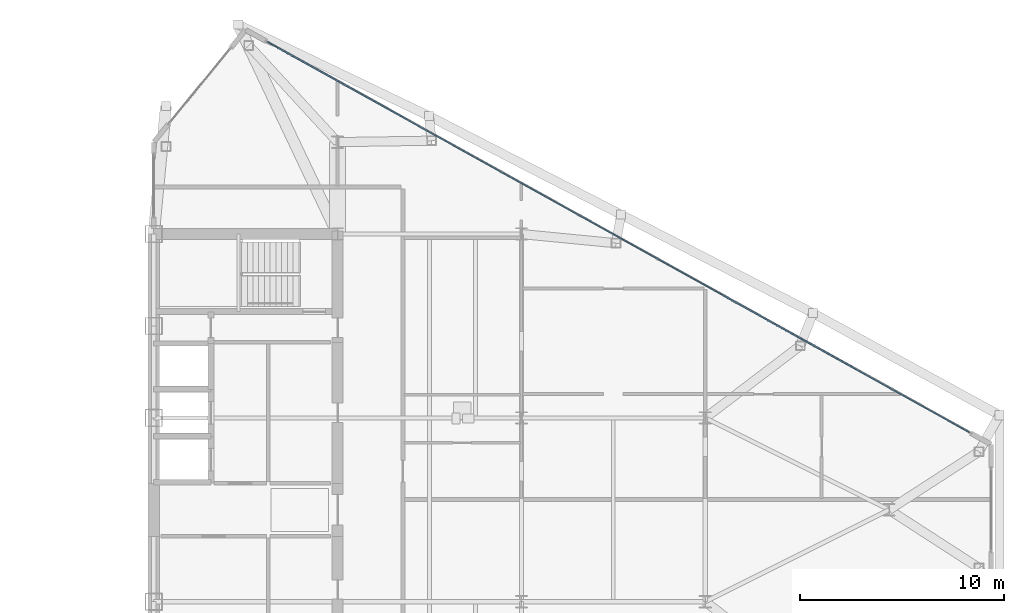
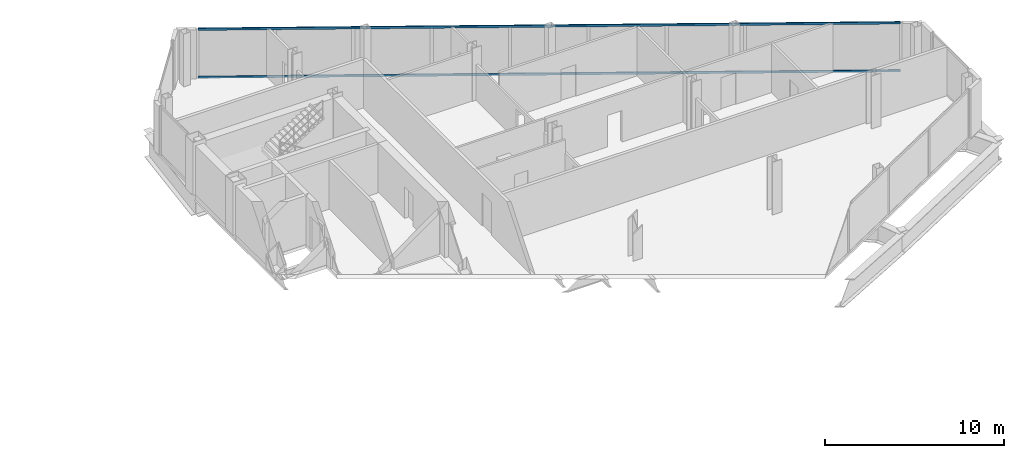
# One storey, part 16 of 28: 2 members, 1 element without a shape of its own.
"""IFC4 building model written with IfcOpenShell, lengths in metres."""

from ifc_helpers import new_model, si_unit, direction, frame, origin, origin_2d, place, context, subcontext, project, spatial, rectangle, extrude, source, transform, mapped, material, layer, layer_set, material_profile, profile_set, type_object, type_shapes, element, aggregate, save


model = new_model("IFC4")

# Units and contexts
model_context = context("Model", 3, precision=1e-05, world=origin(), true_north=direction((0.0, 1.0)))
body_context = subcontext(model_context, "Body", "Model", "MODEL_VIEW")
ifc_project = project(units=[si_unit("LENGTHUNIT", "METRE"), si_unit("AREAUNIT", "SQUARE_METRE"), si_unit("VOLUMEUNIT", "CUBIC_METRE"), si_unit("PLANEANGLEUNIT", "RADIAN"), si_unit("MASSUNIT", "GRAM", prefix="KILO")], contexts=[model_context])

# Site, building, storey
site_placement = place(None, origin())
site = spatial("IfcSite", under=ifc_project, at=site_placement, CompositionType="ELEMENT")
building_placement = place(site_placement, origin())
building = spatial("IfcBuilding", under=site, at=building_placement, Name="Seokmaru Belvedere", CompositionType="ELEMENT")
storey_placement = place(building_placement, frame((0.0, 0.0, 158.39990234375)))
storey = spatial("IfcBuildingStorey", under=building, at=storey_placement, Name="L42", CompositionType="ELEMENT", Elevation=158.39990234375)

# Curtain wall, members
ifc_material_1 = material(Name="Bronze Triple Insulating Glass", Category="glass")
ifc_layer = layer(ifc_material_1, 0.179931640625)
ifc_layer_set = layer_set([ifc_layer], Name="Bronze Triple Insulating Glass")
curtain_wall_type = type_object("IfcCurtainWallType", Name="High-Rise Wind-Corner Curtain Wall System CW-5", PredefinedType="NOTDEFINED", material=ifc_layer_set)
curtain_wall_placement = place(storey_placement, origin())
curtain_wall = element("IfcCurtainWall", 1, at=curtain_wall_placement, inside=storey, type_object=curtain_wall_type, Name="L42 Curtain Wall EF3", PredefinedType="NOTDEFINED")
ifc_material_2 = material(Name="Anodised Bronze Aluminium", Category="aluminium")
ifc_material_profile = material_profile(ifc_material_2, rectangle(XDim=0.06494140625, YDim=0.14990234375, at=origin_2d()), Name="CW-T-65x150")
ifc_profile_set = profile_set([ifc_material_profile], Name="Anodised Bronze Aluminium")
member_type = type_object("IfcMemberType", Name="Bronze Unitised Transom 65x150", PredefinedType="USERDEFINED", material=ifc_profile_set)
shared_shape = source(origin(), body_context, "Body", "SweptSolid", [
    extrude(rectangle(XDim=0.06494140625, YDim=0.14990234375, at=origin_2d()), origin(), (0.0, 0.0, 1.0), 39.33544921875),
])
type_shapes(member_type, [shared_shape])
member_1_placement = place(storey_placement, frame((67.438232421875, 3.79052734375, 0.03271484375), z_axis=(-0.873932045133, 0.486048125693, 0.0), x_axis=(-0.486048125693, -0.873932045133, 0.0)))
member_1 = element("IfcMember", 2, at=member_1_placement, type_object=member_type, Name="CW:L42:EF3 Continuous Transom 1", ObjectType="TRANSOM", PredefinedType="USERDEFINED", context=body_context, shape_type="MappedRepresentation", body=[
    mapped(shared_shape, transform((0.0, 0.0, 0.0), scale=1.0)),
])
member_2_placement = place(storey_placement, frame((67.438232421875, 3.79052734375, 3.3076171875), z_axis=(-0.873932045133, 0.486048125693, 0.0), x_axis=(-0.486048125693, -0.873932045133, 0.0)))
member_2 = element("IfcMember", 3, at=member_2_placement, type_object=member_type, Name="CW:L42:EF3 Continuous Transom 2", ObjectType="TRANSOM", PredefinedType="USERDEFINED", context=body_context, shape_type="MappedRepresentation", body=[
    mapped(shared_shape, transform((0.0, 0.0, 0.0), scale=1.0)),
])
aggregate(curtain_wall, [member_1, member_2])

save(model, "model.ifc")
